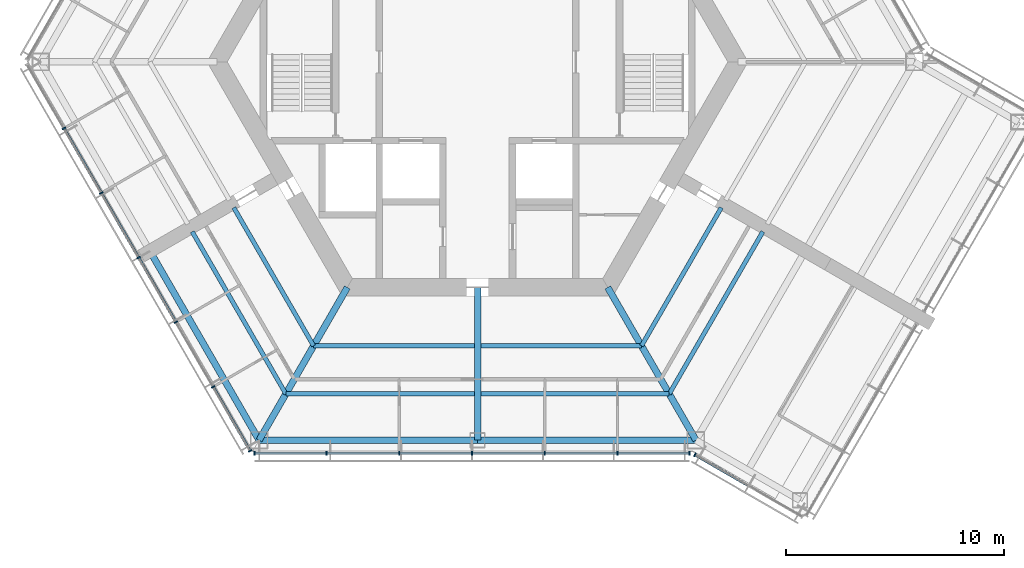
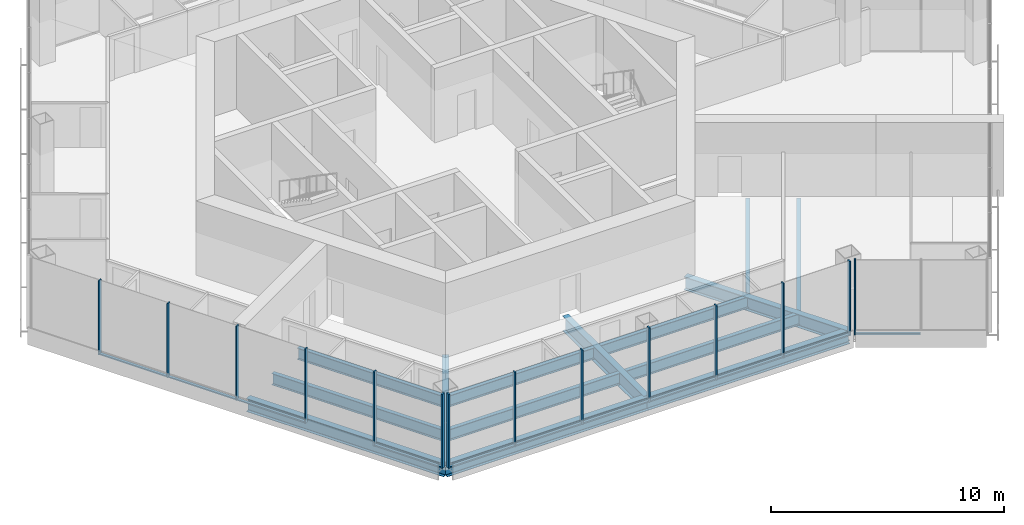
# One storey, part 2 of 13: 25 members, 14 beams, 3 elements without a shape of their own.
"""IFC4 building model written with IfcOpenShell, lengths in metres."""

from ifc_helpers import new_model, si_unit, direction, frame, origin, origin_2d, place, context, subcontext, project, spatial, rectangle, i_section, extrude, material, material_profile, profile_set, type_object, element, aggregate, save


model = new_model("IFC4")

# Units and contexts
model_context = context("Model", 3, precision=1e-05, world=origin(), true_north=direction((0.0, 1.0)))
body_context = subcontext(model_context, "Body", "Model", "MODEL_VIEW")
ifc_project = project(units=[si_unit("LENGTHUNIT", "METRE"), si_unit("AREAUNIT", "SQUARE_METRE"), si_unit("VOLUMEUNIT", "CUBIC_METRE"), si_unit("PLANEANGLEUNIT", "RADIAN"), si_unit("MASSUNIT", "GRAM", prefix="KILO")], contexts=[model_context])

# Site, building, storey
site_placement = place(None, origin())
site = spatial("IfcSite", under=ifc_project, at=site_placement, CompositionType="ELEMENT")
building_placement = place(site_placement, origin())
building = spatial("IfcBuilding", under=site, at=building_placement, Name="Kasaneha Research Tower", CompositionType="ELEMENT")
storey_placement = place(building_placement, frame((0.0, 0.0, 298.60009765625)))
storey = spatial("IfcBuildingStorey", under=building, at=storey_placement, Name="L75", CompositionType="ELEMENT", Elevation=298.60009765625)

# Beams
ifc_material_1 = material(Name="Steel SN490B", Category="steel")
ifc_material_profile_1 = material_profile(ifc_material_1, i_section(OverallWidth=0.199951171875, OverallDepth=0.60009765625, WebThickness=0.010986328125, FlangeThickness=0.01708984375, FilletRadius=0.012939453125, at=origin_2d()), Name="H-600x200x11x17")
ifc_profile_set_1 = profile_set([ifc_material_profile_1], Name="Steel SN490B")
beam_type_1 = type_object("IfcBeamType", Name="B1-3 secondary beam H-600x200x11x17", PredefinedType="JOIST", material=ifc_profile_set_1)
beam_1_placement = place(storey_placement, frame((-7.505615234375, -13.0, -0.4501953125), z_axis=(-0.499999192304, 0.866025870108, 0.0), x_axis=(-0.866025870108, -0.499999192304, 0.0)))
element("IfcBeam", 1, at=beam_1_placement, inside=storey, type_object=beam_type_1, Name="Secondary beam RS210R1 L75", PredefinedType="JOIST", context=body_context, shape_type="SweptSolid", body=[
    extrude(i_section(OverallWidth=0.199951171875, OverallDepth=0.60009765625, WebThickness=0.010986328125, FlangeThickness=0.01708984375, FilletRadius=0.012939453125, at=origin_2d()), origin(), (0.0, 0.0, 1.0), 7.3056640625),
])
beam_2_placement = place(storey_placement, frame((-8.775634765625, -15.199951171875, -0.4501953125), z_axis=(-0.500000102728, 0.866025344474, 0.0), x_axis=(-0.866025344474, -0.500000102728, 0.0)))
element("IfcBeam", 2, at=beam_2_placement, inside=storey, type_object=beam_type_1, Name="Secondary beam RS210R2 L75", PredefinedType="JOIST", context=body_context, shape_type="SweptSolid", body=[
    extrude(i_section(OverallWidth=0.199951171875, OverallDepth=0.60009765625, WebThickness=0.010986328125, FlangeThickness=0.01708984375, FilletRadius=0.012939453125, at=origin_2d()), origin(), (0.0, 0.0, 1.0), 8.57568359375),
])
beam_3_placement = place(storey_placement, frame((-7.505615234375, -13.0, -0.4501953125), z_axis=(1.0, 0.0, 0.0), x_axis=(0.0, 1.0, 0.0)))
element("IfcBeam", 3, at=beam_3_placement, inside=storey, type_object=beam_type_1, Name="Secondary beam RS270L1 L75", PredefinedType="JOIST", context=body_context, shape_type="SweptSolid", body=[
    extrude(i_section(OverallWidth=0.199951171875, OverallDepth=0.60009765625, WebThickness=0.010986328125, FlangeThickness=0.01708984375, FilletRadius=0.012939453125, at=origin_2d()), origin(), (0.0, 0.0, 1.0), 7.355712890625),
])
beam_4_placement = place(storey_placement, frame((-8.775634765625, -15.199951171875, -0.4501953125), z_axis=(1.0, 0.0, 0.0), x_axis=(0.0, 1.0, 0.0)))
element("IfcBeam", 4, at=beam_4_placement, inside=storey, type_object=beam_type_1, Name="Secondary beam RS270L2 L75", PredefinedType="JOIST", context=body_context, shape_type="SweptSolid", body=[
    extrude(i_section(OverallWidth=0.199951171875, OverallDepth=0.60009765625, WebThickness=0.010986328125, FlangeThickness=0.01708984375, FilletRadius=0.012939453125, at=origin_2d()), origin(), (0.0, 0.0, 1.0), 8.625732421875),
])
beam_5_placement = place(storey_placement, frame((7.505615234375, -13.0, -0.4501953125), z_axis=(-1.0, 0.0, 0.0), x_axis=(0.0, -1.0, 0.0)))
element("IfcBeam", 5, at=beam_5_placement, inside=storey, type_object=beam_type_1, Name="Secondary beam RS270R1 L75", PredefinedType="JOIST", context=body_context, shape_type="SweptSolid", body=[
    extrude(i_section(OverallWidth=0.199951171875, OverallDepth=0.60009765625, WebThickness=0.010986328125, FlangeThickness=0.01708984375, FilletRadius=0.012939453125, at=origin_2d()), origin(), (0.0, 0.0, 1.0), 7.355712890625),
])
beam_6_placement = place(storey_placement, frame((8.775634765625, -15.199951171875, -0.4501953125), z_axis=(-1.0, 0.0, 0.0), x_axis=(0.0, -1.0, 0.0)))
element("IfcBeam", 6, at=beam_6_placement, inside=storey, type_object=beam_type_1, Name="Secondary beam RS270R2 L75", PredefinedType="JOIST", context=body_context, shape_type="SweptSolid", body=[
    extrude(i_section(OverallWidth=0.199951171875, OverallDepth=0.60009765625, WebThickness=0.010986328125, FlangeThickness=0.01708984375, FilletRadius=0.012939453125, at=origin_2d()), origin(), (0.0, 0.0, 1.0), 8.625732421875),
])
beam_7_placement = place(storey_placement, frame((7.505615234375, -13.0, -0.4501953125), z_axis=(0.499999192304, 0.866025870108, 0.0), x_axis=(-0.866025870108, 0.499999192304, 0.0)))
element("IfcBeam", 7, at=beam_7_placement, inside=storey, type_object=beam_type_1, Name="Secondary beam RS330L1 L75", PredefinedType="JOIST", context=body_context, shape_type="SweptSolid", body=[
    extrude(i_section(OverallWidth=0.199951171875, OverallDepth=0.60009765625, WebThickness=0.010986328125, FlangeThickness=0.01708984375, FilletRadius=0.012939453125, at=origin_2d()), origin(), (0.0, 0.0, 1.0), 7.3056640625),
])
beam_8_placement = place(storey_placement, frame((8.775634765625, -15.199951171875, -0.4501953125), z_axis=(0.500000102728, 0.866025344474, 0.0), x_axis=(-0.866025344474, 0.500000102728, 0.0)))
element("IfcBeam", 8, at=beam_8_placement, inside=storey, type_object=beam_type_1, Name="Secondary beam RS330L2 L75", PredefinedType="JOIST", context=body_context, shape_type="SweptSolid", body=[
    extrude(i_section(OverallWidth=0.199951171875, OverallDepth=0.60009765625, WebThickness=0.010986328125, FlangeThickness=0.01708984375, FilletRadius=0.012939453125, at=origin_2d()), origin(), (0.0, 0.0, 1.0), 8.57568359375),
])

# Curtain wall, members
ifc_material_2 = material(Name="Glass and aluminium", Category="aluminium")
curtain_wall_type = type_object("IfcCurtainWallType", Name="Crown curtain wall", PredefinedType="USERDEFINED", material=ifc_material_2)
curtain_wall_1_placement = place(storey_placement, origin())
curtain_wall_1 = element("IfcCurtainWall", 9, at=curtain_wall_1_placement, inside=storey, type_object=curtain_wall_type, Name="CW-C L75 run 04a", ObjectType="UNITISED CURTAIN WALL", PredefinedType="USERDEFINED")
ifc_material_3 = material(Name="Aluminium 6063-T6", Category="aluminium")
ifc_material_profile_2 = material_profile(ifc_material_3, rectangle(XDim=0.06005859375, YDim=0.179931640625, at=origin_2d()), Name="CW-C mullion 60x180")
ifc_profile_set_2 = profile_set([ifc_material_profile_2], Name="Aluminium 6063-T6")
member_type_1 = type_object("IfcMemberType", Name="CW-C mullion", PredefinedType="MULLION", material=ifc_profile_set_2)
member_1_placement = place(storey_placement, frame((-18.93505859375, -3.04443359375, 0.0), z_axis=(0.0, 0.0, 1.0), x_axis=(0.499999995722, -0.866025406254, 0.0)))
member_1 = element("IfcMember", 10, at=member_1_placement, type_object=member_type_1, Name="CW-C mullion 2", PredefinedType="MULLION", context=body_context, shape_type="SweptSolid", body=[
    extrude(rectangle(XDim=0.06005859375, YDim=0.179931640625, at=origin_2d()), origin(), (0.0, 0.0, 1.0), 3.89990234375),
])
member_2_placement = place(storey_placement, frame((-17.227294921875, -6.00244140625, 0.0), z_axis=(0.0, 0.0, 1.0), x_axis=(0.499999995722, -0.866025406254, 0.0)))
member_2 = element("IfcMember", 11, at=member_2_placement, type_object=member_type_1, Name="CW-C mullion 3", PredefinedType="MULLION", context=body_context, shape_type="SweptSolid", body=[
    extrude(rectangle(XDim=0.06005859375, YDim=0.179931640625, at=origin_2d()), origin(), (0.0, 0.0, 1.0), 3.89990234375),
])
member_3_placement = place(storey_placement, frame((-15.51953125, -8.960205078125, 0.0), z_axis=(0.0, 0.0, 1.0), x_axis=(0.499999995722, -0.866025406254, 0.0)))
member_3 = element("IfcMember", 12, at=member_3_placement, type_object=member_type_1, Name="CW-C mullion 4", PredefinedType="MULLION", context=body_context, shape_type="SweptSolid", body=[
    extrude(rectangle(XDim=0.06005859375, YDim=0.179931640625, at=origin_2d()), origin(), (0.0, 0.0, 1.0), 3.89990234375),
])
member_4_placement = place(storey_placement, frame((-13.811767578125, -11.918212890625, 0.0), z_axis=(0.0, 0.0, 1.0), x_axis=(0.499999995722, -0.866025406254, 0.0)))
member_4 = element("IfcMember", 13, at=member_4_placement, type_object=member_type_1, Name="CW-C mullion 5", PredefinedType="MULLION", context=body_context, shape_type="SweptSolid", body=[
    extrude(rectangle(XDim=0.06005859375, YDim=0.179931640625, at=origin_2d()), origin(), (0.0, 0.0, 1.0), 3.89990234375),
])
member_5_placement = place(storey_placement, frame((-12.104248046875, -14.8759765625, 0.0), z_axis=(0.0, 0.0, 1.0), x_axis=(0.499999995722, -0.866025406254, 0.0)))
member_5 = element("IfcMember", 14, at=member_5_placement, type_object=member_type_1, Name="CW-C mullion 6", PredefinedType="MULLION", context=body_context, shape_type="SweptSolid", body=[
    extrude(rectangle(XDim=0.06005859375, YDim=0.179931640625, at=origin_2d()), origin(), (0.0, 0.0, 1.0), 3.89990234375),
])
member_6_placement = place(storey_placement, frame((-10.411376953125, -17.807861328125, 0.0), z_axis=(0.0, 0.0, 1.0), x_axis=(0.499999995722, -0.866025406254, 0.0)))
member_6 = element("IfcMember", 15, at=member_6_placement, type_object=member_type_1, Name="CW-C mullion 7", PredefinedType="MULLION", context=body_context, shape_type="SweptSolid", body=[
    extrude(rectangle(XDim=0.06005859375, YDim=0.179931640625, at=origin_2d()), origin(), (0.0, 0.0, 1.0), 3.89990234375),
])

curtain_wall_2_placement = place(storey_placement, origin())
curtain_wall_2 = element("IfcCurtainWall", 16, at=curtain_wall_2_placement, inside=storey, type_object=curtain_wall_type, Name="CW-C L75 run 05a", ObjectType="UNITISED CURTAIN WALL", PredefinedType="USERDEFINED")
member_7_placement = place(storey_placement, frame((-10.21630859375, -17.92041015625, 0.0), z_axis=(0.0, 0.0, 1.0), x_axis=(1.0, 0.0, 0.0)))
member_7 = element("IfcMember", 17, at=member_7_placement, type_object=member_type_1, Name="CW-C mullion 1", PredefinedType="MULLION", context=body_context, shape_type="SweptSolid", body=[
    extrude(rectangle(XDim=0.06005859375, YDim=0.179931640625, at=origin_2d()), origin(), (0.0, 0.0, 1.0), 3.89990234375),
])
member_8_placement = place(storey_placement, frame((-6.91552734375, -17.92041015625, 0.0), z_axis=(0.0, 0.0, 1.0), x_axis=(1.0, 0.0, 0.0)))
member_8 = element("IfcMember", 18, at=member_8_placement, type_object=member_type_1, Name="CW-C mullion 2", PredefinedType="MULLION", context=body_context, shape_type="SweptSolid", body=[
    extrude(rectangle(XDim=0.06005859375, YDim=0.179931640625, at=origin_2d()), origin(), (0.0, 0.0, 1.0), 3.89990234375),
])
member_9_placement = place(storey_placement, frame((-3.58447265625, -17.92041015625, 0.0), z_axis=(0.0, 0.0, 1.0), x_axis=(1.0, 0.0, 0.0)))
member_9 = element("IfcMember", 19, at=member_9_placement, type_object=member_type_1, Name="CW-C mullion 3", PredefinedType="MULLION", context=body_context, shape_type="SweptSolid", body=[
    extrude(rectangle(XDim=0.06005859375, YDim=0.179931640625, at=origin_2d()), origin(), (0.0, 0.0, 1.0), 3.89990234375),
])
member_10_placement = place(storey_placement, frame((-0.253662109375, -17.92041015625, 0.0), z_axis=(0.0, 0.0, 1.0), x_axis=(1.0, 0.0, 0.0)))
member_10 = element("IfcMember", 20, at=member_10_placement, type_object=member_type_1, Name="CW-C mullion 4", PredefinedType="MULLION", context=body_context, shape_type="SweptSolid", body=[
    extrude(rectangle(XDim=0.06005859375, YDim=0.179931640625, at=origin_2d()), origin(), (0.0, 0.0, 1.0), 3.89990234375),
])
member_11_placement = place(storey_placement, frame((3.077392578125, -17.92041015625, 0.0), z_axis=(0.0, 0.0, 1.0), x_axis=(1.0, 0.0, 0.0)))
member_11 = element("IfcMember", 21, at=member_11_placement, type_object=member_type_1, Name="CW-C mullion 5", PredefinedType="MULLION", context=body_context, shape_type="SweptSolid", body=[
    extrude(rectangle(XDim=0.06005859375, YDim=0.179931640625, at=origin_2d()), origin(), (0.0, 0.0, 1.0), 3.89990234375),
])
member_12_placement = place(storey_placement, frame((6.408203125, -17.92041015625, 0.0), z_axis=(0.0, 0.0, 1.0), x_axis=(1.0, 0.0, 0.0)))
member_12 = element("IfcMember", 22, at=member_12_placement, type_object=member_type_1, Name="CW-C mullion 6", PredefinedType="MULLION", context=body_context, shape_type="SweptSolid", body=[
    extrude(rectangle(XDim=0.06005859375, YDim=0.179931640625, at=origin_2d()), origin(), (0.0, 0.0, 1.0), 3.89990234375),
])
member_13_placement = place(storey_placement, frame((9.709228515625, -17.92041015625, 0.0), z_axis=(0.0, 0.0, 1.0), x_axis=(1.0, 0.0, 0.0)))
member_13 = element("IfcMember", 23, at=member_13_placement, type_object=member_type_1, Name="CW-C mullion 7", PredefinedType="MULLION", context=body_context, shape_type="SweptSolid", body=[
    extrude(rectangle(XDim=0.06005859375, YDim=0.179931640625, at=origin_2d()), origin(), (0.0, 0.0, 1.0), 3.89990234375),
])

# Curtain wall, member
curtain_wall_3_placement = place(storey_placement, origin())
curtain_wall_3 = element("IfcCurtainWall", 24, at=curtain_wall_3_placement, inside=storey, type_object=curtain_wall_type, Name="CW-C L75 run 06a", ObjectType="UNITISED CURTAIN WALL", PredefinedType="USERDEFINED")
member_14_placement = place(storey_placement, frame((9.951904296875, -17.985595703125, 0.0), z_axis=(0.0, 0.0, 1.0), x_axis=(0.866025443395, -0.499999931393, 0.0)))
member_14 = element("IfcMember", 25, at=member_14_placement, type_object=member_type_1, Name="CW-C mullion 1", PredefinedType="MULLION", context=body_context, shape_type="SweptSolid", body=[
    extrude(rectangle(XDim=0.06005859375, YDim=0.179931640625, at=origin_2d()), origin(), (0.0, 0.0, 1.0), 3.89990234375),
])

# Member
ifc_material_4 = material(Name="Aluminium 6063-T6", Category="aluminium")
ifc_material_profile_3 = material_profile(ifc_material_4, rectangle(XDim=0.1298828125, YDim=0.06005859375, at=origin_2d()), Name="CW-C transom 130x60")
ifc_profile_set_3 = profile_set([ifc_material_profile_3], Name="Aluminium 6063-T6")
member_type_2 = type_object("IfcMemberType", Name="CW-C transom", PredefinedType="USERDEFINED", material=ifc_profile_set_3)
member_15_placement = place(storey_placement, frame((-18.920166015625, -3.070556640625, 0.02978515625), z_axis=(0.500020578564, -0.866013522419, 0.0), x_axis=(0.866013522419, 0.500020578564, 0.0)))
member_15 = element("IfcMember", 26, at=member_15_placement, type_object=member_type_2, Name="CW-C transom 2", ObjectType="TRANSOM", PredefinedType="USERDEFINED", context=body_context, shape_type="SweptSolid", body=[
    extrude(rectangle(XDim=0.1298828125, YDim=0.06005859375, at=origin_2d()), origin(), (0.0, 0.0, 1.0), 3.355224609375),
])

member_16_placement = place(storey_placement, frame((-17.21240234375, -6.0283203125, 0.02978515625), z_axis=(0.499989072476, -0.866031712701, 0.0), x_axis=(0.866031712701, 0.499989072476, 0.0)))
member_16 = element("IfcMember", 27, at=member_16_placement, type_object=member_type_2, Name="CW-C transom 3", ObjectType="TRANSOM", PredefinedType="USERDEFINED", context=body_context, shape_type="SweptSolid", body=[
    extrude(rectangle(XDim=0.1298828125, YDim=0.06005859375, at=origin_2d()), origin(), (0.0, 0.0, 1.0), 3.35546875),
])

member_17_placement = place(storey_placement, frame((-15.504638671875, -8.986328125, 0.02978515625), z_axis=(0.500020578564, -0.866013522419, 0.0), x_axis=(0.866013522419, 0.500020578564, 0.0)))
member_17 = element("IfcMember", 28, at=member_17_placement, type_object=member_type_2, Name="CW-C transom 4", ObjectType="TRANSOM", PredefinedType="USERDEFINED", context=body_context, shape_type="SweptSolid", body=[
    extrude(rectangle(XDim=0.1298828125, YDim=0.06005859375, at=origin_2d()), origin(), (0.0, 0.0, 1.0), 3.355224609375),
])

member_18_placement = place(storey_placement, frame((-12.089111328125, -14.902099609375, 0.02978515625), z_axis=(0.49997666526, -0.866038875684, 0.0), x_axis=(0.866038875684, 0.49997666526, 0.0)))
member_18 = element("IfcMember", 29, at=member_18_placement, type_object=member_type_2, Name="CW-C transom 6", ObjectType="TRANSOM", PredefinedType="USERDEFINED", context=body_context, shape_type="SweptSolid", body=[
    extrude(rectangle(XDim=0.1298828125, YDim=0.06005859375, at=origin_2d()), origin(), (0.0, 0.0, 1.0), 3.325439453125),
])

aggregate(curtain_wall_1, [member_1, member_2, member_3, member_4, member_5, member_6, member_15, member_16, member_17, member_18])

member_19_placement = place(storey_placement, frame((-10.1865234375, -17.92041015625, 0.02978515625), z_axis=(1.0, 0.0, 0.0), x_axis=(0.0, 1.0, 0.0)))
member_19 = element("IfcMember", 30, at=member_19_placement, type_object=member_type_2, Name="CW-C transom 1", ObjectType="TRANSOM", PredefinedType="USERDEFINED", context=body_context, shape_type="SweptSolid", body=[
    extrude(rectangle(XDim=0.1298828125, YDim=0.06005859375, at=origin_2d()), origin(), (0.0, 0.0, 1.0), 3.240966796875),
])

member_20_placement = place(storey_placement, frame((-6.885498046875, -17.92041015625, 0.02978515625), z_axis=(1.0, 0.0, 0.0), x_axis=(0.0, 1.0, 0.0)))
member_20 = element("IfcMember", 31, at=member_20_placement, type_object=member_type_2, Name="CW-C transom 2", ObjectType="TRANSOM", PredefinedType="USERDEFINED", context=body_context, shape_type="SweptSolid", body=[
    extrude(rectangle(XDim=0.1298828125, YDim=0.06005859375, at=origin_2d()), origin(), (0.0, 0.0, 1.0), 3.27099609375),
])

member_21_placement = place(storey_placement, frame((-3.554443359375, -17.92041015625, 0.02978515625), z_axis=(1.0, 0.0, 0.0), x_axis=(0.0, 1.0, 0.0)))
member_21 = element("IfcMember", 32, at=member_21_placement, type_object=member_type_2, Name="CW-C transom 3", ObjectType="TRANSOM", PredefinedType="USERDEFINED", context=body_context, shape_type="SweptSolid", body=[
    extrude(rectangle(XDim=0.1298828125, YDim=0.06005859375, at=origin_2d()), origin(), (0.0, 0.0, 1.0), 3.270751953125),
])

member_22_placement = place(storey_placement, frame((-0.2236328125, -17.92041015625, 0.02978515625), z_axis=(1.0, 0.0, 0.0), x_axis=(0.0, 1.0, 0.0)))
member_22 = element("IfcMember", 33, at=member_22_placement, type_object=member_type_2, Name="CW-C transom 4", ObjectType="TRANSOM", PredefinedType="USERDEFINED", context=body_context, shape_type="SweptSolid", body=[
    extrude(rectangle(XDim=0.1298828125, YDim=0.06005859375, at=origin_2d()), origin(), (0.0, 0.0, 1.0), 3.27099609375),
])

member_23_placement = place(storey_placement, frame((3.107421875, -17.92041015625, 0.02978515625), z_axis=(1.0, 0.0, 0.0), x_axis=(0.0, 1.0, 0.0)))
member_23 = element("IfcMember", 34, at=member_23_placement, type_object=member_type_2, Name="CW-C transom 5", ObjectType="TRANSOM", PredefinedType="USERDEFINED", context=body_context, shape_type="SweptSolid", body=[
    extrude(rectangle(XDim=0.1298828125, YDim=0.06005859375, at=origin_2d()), origin(), (0.0, 0.0, 1.0), 3.270751953125),
])

member_24_placement = place(storey_placement, frame((6.438232421875, -17.92041015625, 0.02978515625), z_axis=(1.0, 0.0, 0.0), x_axis=(0.0, 1.0, 0.0)))
member_24 = element("IfcMember", 35, at=member_24_placement, type_object=member_type_2, Name="CW-C transom 6", ObjectType="TRANSOM", PredefinedType="USERDEFINED", context=body_context, shape_type="SweptSolid", body=[
    extrude(rectangle(XDim=0.1298828125, YDim=0.06005859375, at=origin_2d()), origin(), (0.0, 0.0, 1.0), 3.240966796875),
])

aggregate(curtain_wall_2, [member_7, member_8, member_9, member_10, member_11, member_12, member_13, member_19, member_20, member_21, member_22, member_23, member_24])

member_25_placement = place(storey_placement, frame((9.977783203125, -18.00048828125, 0.02978515625), z_axis=(0.866012991964, -0.500021497287, 0.0), x_axis=(0.500021497287, 0.866012991964, 0.0)))
member_25 = element("IfcMember", 36, at=member_25_placement, type_object=member_type_2, Name="CW-C transom 1", ObjectType="TRANSOM", PredefinedType="USERDEFINED", context=body_context, shape_type="SweptSolid", body=[
    extrude(rectangle(XDim=0.1298828125, YDim=0.06005859375, at=origin_2d()), origin(), (0.0, 0.0, 1.0), 2.77978515625),
])

aggregate(curtain_wall_3, [member_14, member_25])

# Beams
ifc_material_5 = material(Name="Steel SN490B", Category="steel")
ifc_material_profile_4 = material_profile(ifc_material_5, i_section(OverallWidth=0.300048828125, OverallDepth=0.699951171875, WebThickness=0.012939453125, FlangeThickness=0.02392578125, FilletRadius=0.01806640625, at=origin_2d()), Name="H-700x300x13x24")
ifc_profile_set_4 = profile_set([ifc_material_profile_4], Name="Steel SN490B")
beam_type_2 = type_object("IfcBeamType", Name="G1-3 radial girder H-700x300x13x24", PredefinedType="BEAM", material=ifc_profile_set_4)
for number, where, z_axis, x_axis, name in (
    (37, (-5.961181640625, -10.324951171875, -0.5), (-0.49999105496, -0.866030568144, 0.0), (0.866030568144, -0.49999105496, 0.0), "Radial girder RV240 L75"),
    (38, (5.961181640625, -10.324951171875, -0.5), (0.49999105496, -0.866030568144, 0.0), (0.866030568144, 0.49999105496, 0.0), "Radial girder RV300 L75"),
):
    element("IfcBeam", number, at=place(storey_placement, frame(where, z_axis=z_axis, x_axis=x_axis)), inside=storey, type_object=beam_type_2, Name=name, PredefinedType="BEAM", context=body_context, shape_type="SweptSolid", body=[
        extrude(i_section(OverallWidth=0.300048828125, OverallDepth=0.699951171875, WebThickness=0.012939453125, FlangeThickness=0.02392578125, FilletRadius=0.01806640625, at=origin_2d()), origin(), (0.0, 0.0, 1.0), 8.077880859375),
    ])
ifc_material_6 = material(Name="Steel SN490B", Category="steel")
ifc_material_profile_5 = material_profile(ifc_material_6, i_section(OverallWidth=0.300048828125, OverallDepth=0.800048828125, WebThickness=0.013916015625, FlangeThickness=0.02587890625, FilletRadius=0.01806640625, at=origin_2d()), Name="H-800x300x14x26")
ifc_profile_set_5 = profile_set([ifc_material_profile_5], Name="Steel SN490B")
beam_type_3 = type_object("IfcBeamType", Name="G2-3 radial girder H-800x300x14x26", PredefinedType="BEAM", material=ifc_profile_set_5)
beam_9_placement = place(storey_placement, frame((0.0, -10.324951171875, -0.550048828125), z_axis=(0.0, -1.0, 0.0), x_axis=(1.0, 0.0, 0.0)))
element("IfcBeam", 39, at=beam_9_placement, inside=storey, type_object=beam_type_3, Name="Radial girder RM270 L75", PredefinedType="BEAM", context=body_context, shape_type="SweptSolid", body=[
    extrude(i_section(OverallWidth=0.300048828125, OverallDepth=0.800048828125, WebThickness=0.013916015625, FlangeThickness=0.02587890625, FilletRadius=0.01806640625, at=origin_2d()), origin(), (0.0, 0.0, 1.0), 6.99560546875),
])
ifc_material_7 = material(Name="Steel SN490B", Category="steel")
ifc_material_profile_6 = material_profile(ifc_material_7, i_section(OverallWidth=0.300048828125, OverallDepth=0.69189453125, WebThickness=0.012939453125, FlangeThickness=0.02001953125, FilletRadius=0.01806640625, at=origin_2d()), Name="H-692x300x13x20")
ifc_profile_set_6 = profile_set([ifc_material_profile_6], Name="Steel SN490B")
beam_type_4 = type_object("IfcBeamType", Name="G3-3 plate edge girder H-692x300x13x20", PredefinedType="BEAM", material=ifc_profile_set_6)
beam_10_placement = place(storey_placement, frame((-10.0, -17.320556640625, -0.49609375), z_axis=(-0.49999201416, 0.866030014362, 0.0), x_axis=(-0.866030014362, -0.49999201416, 0.0)))
element("IfcBeam", 40, at=beam_10_placement, inside=storey, type_object=beam_type_4, Name="Plate edge girder PEBN L75", PredefinedType="BEAM", context=body_context, shape_type="SweptSolid", body=[
    extrude(i_section(OverallWidth=0.300048828125, OverallDepth=0.69189453125, WebThickness=0.012939453125, FlangeThickness=0.02001953125, FilletRadius=0.01806640625, at=origin_2d()), origin(), (0.0, 0.0, 1.0), 9.800048828125),
])
ifc_material_8 = material(Name="Steel SN490B", Category="steel")
ifc_material_profile_7 = material_profile(ifc_material_8, i_section(OverallWidth=0.300048828125, OverallDepth=0.69189453125, WebThickness=0.012939453125, FlangeThickness=0.02001953125, FilletRadius=0.01806640625, at=origin_2d()), Name="H-692x300x13x20")
ifc_profile_set_7 = profile_set([ifc_material_profile_7], Name="Steel SN490B")
beam_type_5 = type_object("IfcBeamType", Name="SB1-3 spandrel beam H-692x300x13x20", PredefinedType="SPANDREL", material=ifc_profile_set_7)
for number, where, z_axis, x_axis, name in (
    (41, (-10.0, -17.320556640625, -0.49609375), (1.0, 0.0, 0.0), (0.0, 1.0, 0.0), "Spandrel beam SR270L L75"),
    (42, (10.0, -17.320556640625, -0.49609375), (-1.0, 0.0, 0.0), (0.0, -1.0, 0.0), "Spandrel beam SR270R L75"),
):
    element("IfcBeam", number, at=place(storey_placement, frame(where, z_axis=z_axis, x_axis=x_axis)), inside=storey, type_object=beam_type_5, Name=name, PredefinedType="SPANDREL", context=body_context, shape_type="SweptSolid", body=[
        extrude(i_section(OverallWidth=0.300048828125, OverallDepth=0.69189453125, WebThickness=0.012939453125, FlangeThickness=0.02001953125, FilletRadius=0.01806640625, at=origin_2d()), origin(), (0.0, 0.0, 1.0), 10.0),
    ])

save(model, "model.ifc")
